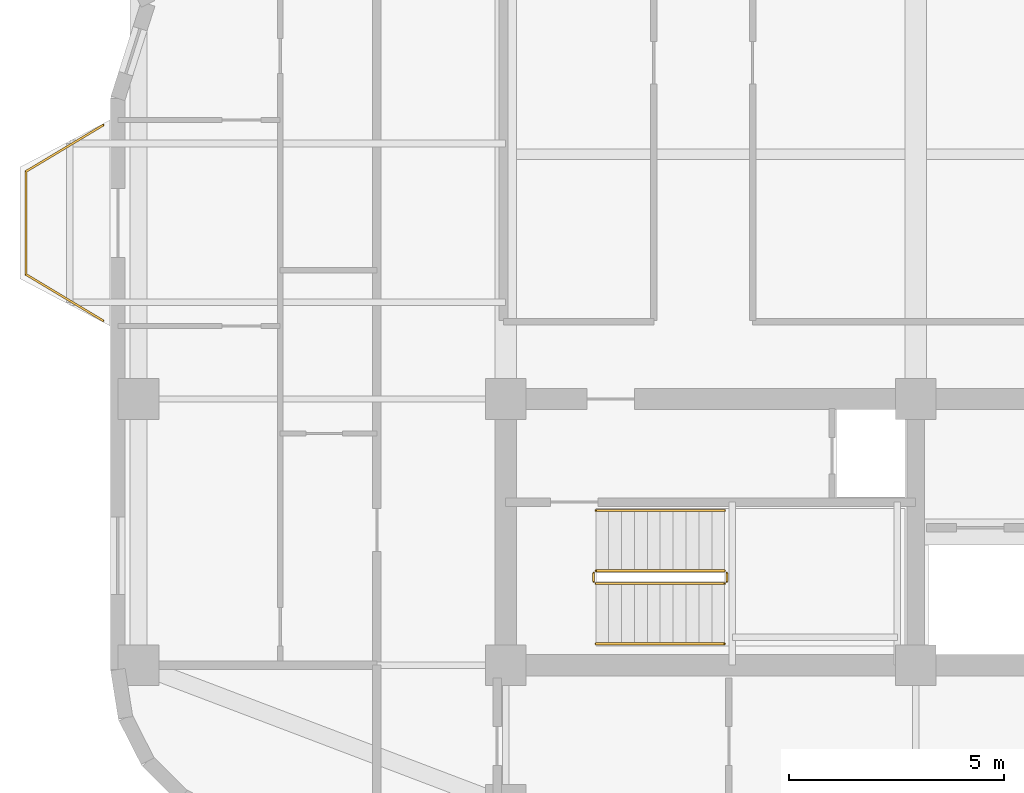
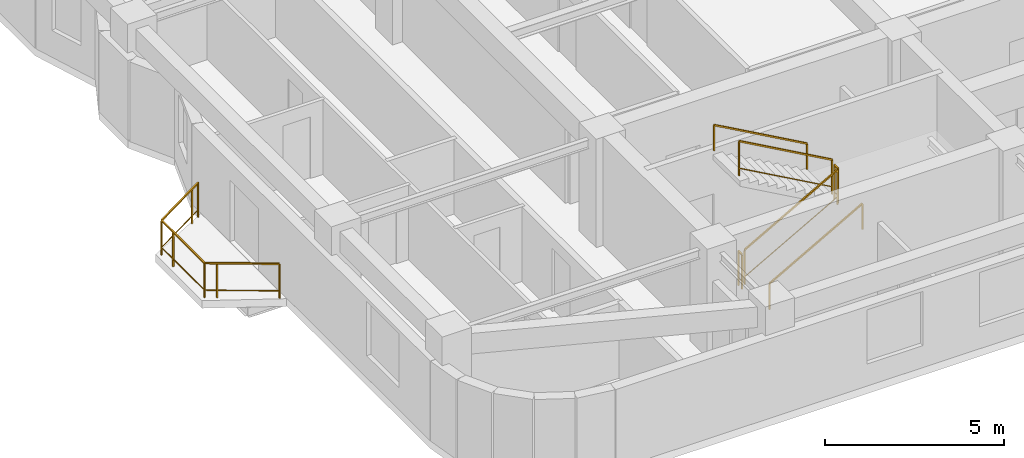
# One storey, part 8 of 9: 7 railings.
"""IFC4 building model written with IfcOpenShell, lengths in metres."""

from ifc_helpers import new_model, si_unit, direction, frame, origin, origin_2d, place, context, subcontext, project, spatial, rectangle, extrude, material, type_object, element, save


model = new_model("IFC4")

# Units and contexts
model_context = context("Model", 3, precision=1e-05, world=origin(), true_north=direction((0.0, 1.0)))
body_context = subcontext(model_context, "Body", "Model", "MODEL_VIEW")
ifc_project = project(units=[si_unit("LENGTHUNIT", "METRE"), si_unit("AREAUNIT", "SQUARE_METRE"), si_unit("VOLUMEUNIT", "CUBIC_METRE"), si_unit("PLANEANGLEUNIT", "RADIAN"), si_unit("MASSUNIT", "GRAM", prefix="KILO")], contexts=[model_context])

# Site, building, storey
site_placement = place(None, origin())
site = spatial("IfcSite", under=ifc_project, at=site_placement, CompositionType="ELEMENT")
building_placement = place(site_placement, origin())
building = spatial("IfcBuilding", under=site, at=building_placement, Name="Svetorya Sky Lyceum", CompositionType="ELEMENT")
storey_placement = place(building_placement, frame((0.0, 0.0, 181.10009765625)))
storey = spatial("IfcBuildingStorey", under=building, at=storey_placement, Name="L45", CompositionType="ELEMENT", Elevation=181.10009765625)

# Railings
ifc_material_1 = material(Name="Laminated safety glass and stainless AISI 316", Category="glass")
railing_type_1 = type_object("IfcRailingType", Name="RL-BAL-1200", PredefinedType="BALUSTRADE", material=ifc_material_1)
railing_1_placement = place(storey_placement, frame((16.22998046875, 18.6201171875, 0.0)))
element("IfcRailing", 1, at=railing_1_placement, inside=storey, type_object=railing_type_1, Name="L45 Balcony Balustrade BAL-W1", PredefinedType="BALUSTRADE", context=body_context, shape_type="SweptSolid", body=[
    extrude(rectangle(XDim=0.048095703125, YDim=0.048095703125, at=origin_2d()), frame((0.0, 0.0, 1.17578125), z_axis=(-0.85753397263, 0.514427337711, 0.0), x_axis=(-0.514427337711, -0.85753397263, 0.0)), (0.0, 0.0, 1.0), 2.09912109375),
    extrude(rectangle(XDim=0.02392578125, YDim=0.02392578125, at=origin_2d()), frame((0.0, 0.0, 0.25), z_axis=(-0.85753397263, 0.514427337711, 0.0), x_axis=(-0.514427337711, -0.85753397263, 0.0)), (0.0, 0.0, 1.0), 2.09912109375),
    extrude(rectangle(XDim=0.048095703125, YDim=0.048095703125, at=origin_2d()), frame((-1.800048828125, 1.079833984375, 1.17578125), z_axis=(0.0, 1.0, 0.0), x_axis=(-1.0, 0.0, 0.0)), (0.0, 0.0, 1.0), 2.400146484375),
    extrude(rectangle(XDim=0.02392578125, YDim=0.02392578125, at=origin_2d()), frame((-1.800048828125, 1.079833984375, 0.25), z_axis=(0.0, 1.0, 0.0), x_axis=(-1.0, 0.0, 0.0)), (0.0, 0.0, 1.0), 2.400146484375),
    extrude(rectangle(XDim=0.048095703125, YDim=0.048095703125, at=origin_2d()), frame((-1.800048828125, 3.47998046875, 1.17578125), z_axis=(0.85753397263, 0.514427337711, 0.0), x_axis=(-0.514427337711, 0.85753397263, 0.0)), (0.0, 0.0, 1.0), 2.09912109375),
    extrude(rectangle(XDim=0.02392578125, YDim=0.02392578125, at=origin_2d()), frame((-1.800048828125, 3.47998046875, 0.25), z_axis=(0.85753397263, 0.514427337711, 0.0), x_axis=(-0.514427337711, 0.85753397263, 0.0)), (0.0, 0.0, 1.0), 2.09912109375),
    extrude(rectangle(XDim=0.0419921875, YDim=0.0419921875, at=origin_2d()), origin(), (0.0, 0.0, 1.0), 1.15185546875),
    extrude(rectangle(XDim=0.0419921875, YDim=0.0419921875, at=origin_2d()), frame((-1.500732421875, 0.900146484375, 0.0)), (0.0, 0.0, 1.0), 1.15185546875),
    extrude(rectangle(XDim=0.0419921875, YDim=0.0419921875, at=origin_2d()), frame((-1.800048828125, 1.079833984375, 0.0)), (0.0, 0.0, 1.0), 1.15185546875),
    extrude(rectangle(XDim=0.0419921875, YDim=0.0419921875, at=origin_2d()), frame((-1.800048828125, 2.829833984375, 0.0)), (0.0, 0.0, 1.0), 1.15185546875),
    extrude(rectangle(XDim=0.0419921875, YDim=0.0419921875, at=origin_2d()), frame((-1.800048828125, 3.47998046875, 0.0)), (0.0, 0.0, 1.0), 1.15185546875),
    extrude(rectangle(XDim=0.0419921875, YDim=0.0419921875, at=origin_2d()), frame((-0.29931640625, 4.380126953125, 0.0)), (0.0, 0.0, 1.0), 1.15185546875),
    extrude(rectangle(XDim=0.0419921875, YDim=0.0419921875, at=origin_2d()), frame((0.0, 4.559814453125, 0.0)), (0.0, 0.0, 1.0), 1.15185546875),
])
ifc_material_2 = material(Name="Painted galvanized stair well guard")
railing_type_2 = type_object("IfcRailingType", Name="RL-STR-GUARD-1200", PredefinedType="GUARDRAIL", material=ifc_material_2)
railing_2_placement = place(storey_placement, frame((27.699951171875, 12.5, 0.16796875)))
element("IfcRailing", 2, at=railing_2_placement, inside=storey, type_object=railing_type_2, Name="L45 ST-S stair guard 1", PredefinedType="GUARDRAIL", context=body_context, shape_type="SweptSolid", body=[
    extrude(rectangle(XDim=0.048095703125, YDim=0.048095703125, at=origin_2d()), frame((0.0, 0.0, 1.17578125), z_axis=(0.872272294576, 0.0, 0.489020494575), x_axis=(0.0, 1.0, 0.0)), (0.0, 0.0, 1.0), 3.439208984375),
    extrude(rectangle(XDim=0.02392578125, YDim=0.02392578125, at=origin_2d()), frame((0.0, 0.0, 0.25), z_axis=(0.872272294576, 0.0, 0.489020494575), x_axis=(0.0, 1.0, 0.0)), (0.0, 0.0, 1.0), 3.439208984375),
    extrude(rectangle(XDim=0.0419921875, YDim=0.0419921875, at=origin_2d()), origin(), (0.0, 0.0, 1.0), 1.15185546875),
    extrude(rectangle(XDim=0.0419921875, YDim=0.0419921875, at=origin_2d()), frame((3.0, 0.0, 1.681884765625)), (0.0, 0.0, 1.0), 1.15185546875),
])
railing_3_placement = place(storey_placement, frame((30.75, 12.550048828125, 1.849853515625)))
element("IfcRailing", 3, at=railing_3_placement, inside=storey, type_object=railing_type_2, Name="L45 ST-S stair guard 2", PredefinedType="GUARDRAIL", context=body_context, shape_type="SweptSolid", body=[
    extrude(rectangle(XDim=0.048095703125, YDim=0.048095703125, at=origin_2d()), frame((0.0, 0.0, 1.17578125), z_axis=(0.0, 1.0, 0.0), x_axis=(-1.0, 0.0, 0.0)), (0.0, 0.0, 1.0), 0.199951171875),
    extrude(rectangle(XDim=0.02392578125, YDim=0.02392578125, at=origin_2d()), frame((0.0, 0.0, 0.25), z_axis=(0.0, 1.0, 0.0), x_axis=(-1.0, 0.0, 0.0)), (0.0, 0.0, 1.0), 0.199951171875),
    extrude(rectangle(XDim=0.0419921875, YDim=0.0419921875, at=origin_2d()), origin(), (0.0, 0.0, 1.0), 1.15185546875),
    extrude(rectangle(XDim=0.0419921875, YDim=0.0419921875, at=origin_2d()), frame((0.0, 0.199951171875, 0.0)), (0.0, 0.0, 1.0), 1.15185546875),
])
railing_4_placement = place(storey_placement, frame((30.699951171875, 12.800048828125, 2.01806640625)))
element("IfcRailing", 4, at=railing_4_placement, inside=storey, type_object=railing_type_2, Name="L45 ST-S stair guard 3", PredefinedType="GUARDRAIL", context=body_context, shape_type="SweptSolid", body=[
    extrude(rectangle(XDim=0.048095703125, YDim=0.048095703125, at=origin_2d()), frame((0.0, 0.0, 1.17578125), z_axis=(-0.872272294576, 0.0, 0.489020494575), x_axis=(0.0, -1.0, 0.0)), (0.0, 0.0, 1.0), 3.439208984375),
    extrude(rectangle(XDim=0.02392578125, YDim=0.02392578125, at=origin_2d()), frame((0.0, 0.0, 0.25), z_axis=(-0.872272294576, 0.0, 0.489020494575), x_axis=(0.0, -1.0, 0.0)), (0.0, 0.0, 1.0), 3.439208984375),
    extrude(rectangle(XDim=0.0419921875, YDim=0.0419921875, at=origin_2d()), origin(), (0.0, 0.0, 1.0), 1.15185546875),
    extrude(rectangle(XDim=0.0419921875, YDim=0.0419921875, at=origin_2d()), frame((-3.0, 0.0, 1.681884765625)), (0.0, 0.0, 1.0), 1.15185546875),
])
railing_5_placement = place(storey_placement, frame((27.64990234375, 12.550048828125, 0.0)))
element("IfcRailing", 5, at=railing_5_placement, inside=storey, type_object=railing_type_2, Name="L45 ST-S stair guard 4", PredefinedType="GUARDRAIL", context=body_context, shape_type="SweptSolid", body=[
    extrude(rectangle(XDim=0.048095703125, YDim=0.048095703125, at=origin_2d()), frame((0.0, 0.0, 1.17578125), z_axis=(0.0, 1.0, 0.0), x_axis=(-1.0, 0.0, 0.0)), (0.0, 0.0, 1.0), 0.199951171875),
    extrude(rectangle(XDim=0.02392578125, YDim=0.02392578125, at=origin_2d()), frame((0.0, 0.0, 0.25), z_axis=(0.0, 1.0, 0.0), x_axis=(-1.0, 0.0, 0.0)), (0.0, 0.0, 1.0), 0.199951171875),
    extrude(rectangle(XDim=0.0419921875, YDim=0.0419921875, at=origin_2d()), origin(), (0.0, 0.0, 1.0), 1.15185546875),
    extrude(rectangle(XDim=0.0419921875, YDim=0.0419921875, at=origin_2d()), frame((0.0, 0.199951171875, 0.0)), (0.0, 0.0, 1.0), 1.15185546875),
])
ifc_material_3 = material(Name="Brushed stainless AISI 304 stair handrail")
railing_type_3 = type_object("IfcRailingType", Name="RL-STR-HAND-920", PredefinedType="HANDRAIL", material=ifc_material_3)
railing_6_placement = place(storey_placement, frame((27.699951171875, 11.10009765625, 0.16796875)))
element("IfcRailing", 6, at=railing_6_placement, inside=storey, type_object=railing_type_3, Name="L45 ST-S stair handrail 1", PredefinedType="HANDRAIL", context=body_context, shape_type="SweptSolid", body=[
    extrude(rectangle(XDim=0.048095703125, YDim=0.048095703125, at=origin_2d()), frame((0.0, 0.0, 0.8759765625), z_axis=(0.872272294576, 0.0, 0.489020494575), x_axis=(0.0, 1.0, 0.0)), (0.0, 0.0, 1.0), 3.439208984375),
    extrude(rectangle(XDim=0.0419921875, YDim=0.0419921875, at=origin_2d()), origin(), (0.0, 0.0, 1.0), 0.851806640625),
    extrude(rectangle(XDim=0.0419921875, YDim=0.0419921875, at=origin_2d()), frame((3.0, 0.0, 1.681884765625)), (0.0, 0.0, 1.0), 0.851806640625),
])
railing_7_placement = place(storey_placement, frame((30.699951171875, 14.199951171875, 2.01806640625)))
element("IfcRailing", 7, at=railing_7_placement, inside=storey, type_object=railing_type_3, Name="L45 ST-S stair handrail 2", PredefinedType="HANDRAIL", context=body_context, shape_type="SweptSolid", body=[
    extrude(rectangle(XDim=0.048095703125, YDim=0.048095703125, at=origin_2d()), frame((0.0, 0.0, 0.8759765625), z_axis=(-0.872272294576, 0.0, 0.489020494575), x_axis=(0.0, -1.0, 0.0)), (0.0, 0.0, 1.0), 3.439208984375),
    extrude(rectangle(XDim=0.0419921875, YDim=0.0419921875, at=origin_2d()), origin(), (0.0, 0.0, 1.0), 0.851806640625),
    extrude(rectangle(XDim=0.0419921875, YDim=0.0419921875, at=origin_2d()), frame((-3.0, 0.0, 1.681884765625)), (0.0, 0.0, 1.0), 0.851806640625),
])

save(model, "model.ifc")
